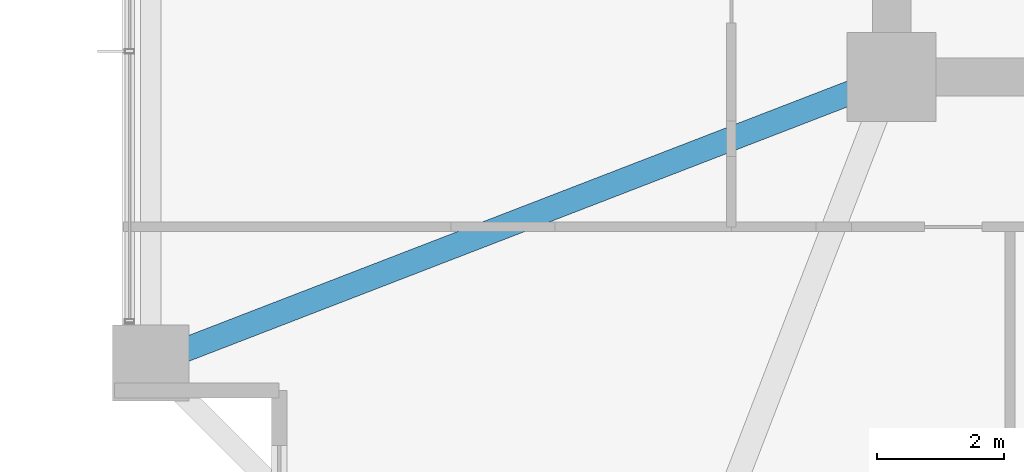
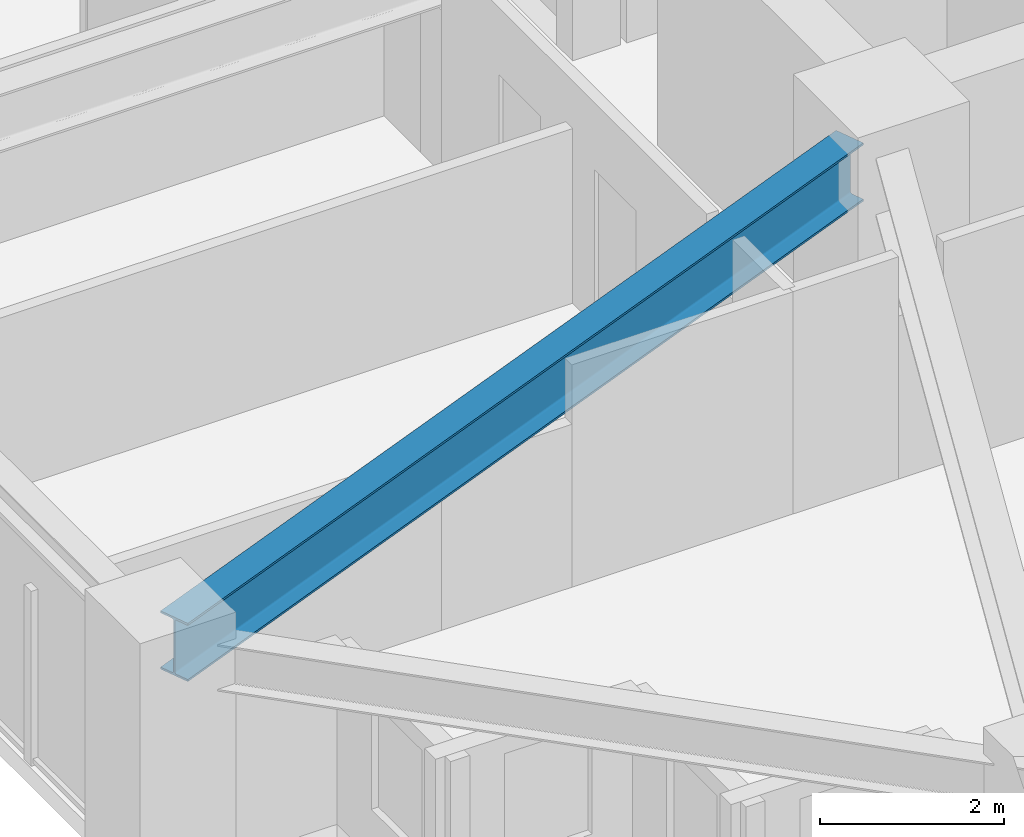
# One storey, part 4 of 38: 1 beam.
"""IFC4 building model written with IfcOpenShell, lengths in metres."""

from ifc_helpers import new_model, si_unit, direction, frame, origin, origin_2d, place, context, subcontext, project, spatial, i_section, extrude, material, material_profile, profile_set, type_object, element, save


model = new_model("IFC4")

# Units and contexts
model_context = context("Model", 3, precision=1e-05, world=origin(), true_north=direction((0.0, 1.0)))
body_context = subcontext(model_context, "Body", "Model", "MODEL_VIEW")
ifc_project = project(units=[si_unit("LENGTHUNIT", "METRE"), si_unit("AREAUNIT", "SQUARE_METRE"), si_unit("VOLUMEUNIT", "CUBIC_METRE"), si_unit("PLANEANGLEUNIT", "RADIAN"), si_unit("MASSUNIT", "GRAM", prefix="KILO")], contexts=[model_context])

# Site, building, storey
site_placement = place(None, origin())
site = spatial("IfcSite", under=ifc_project, at=site_placement, CompositionType="ELEMENT")
building_placement = place(site_placement, origin())
building = spatial("IfcBuilding", under=site, at=building_placement, Name="Kolvaren Belvedere", CompositionType="ELEMENT")
storey_placement = place(building_placement, frame((0.0, 0.0, 60.10009765625)))
storey = spatial("IfcBuildingStorey", under=building, at=storey_placement, Name="L17", CompositionType="ELEMENT", Elevation=60.10009765625)

# Beam
ifc_material = material(Name="Structural steel ASTM A992 Grade 50", Category="steel")
ifc_material_profile = material_profile(ifc_material, i_section(OverallWidth=0.381103515625, OverallDepth=0.77294921875, WebThickness=0.0166015625, FlangeThickness=0.027099609375, FilletRadius=0.02392578125, at=origin_2d()), Name="W30X173")
ifc_profile_set = profile_set([ifc_material_profile], Name="Structural steel ASTM A992 Grade 50")
beam_type = type_object("IfcBeamType", Name="BM-GIRD-W30X173", PredefinedType="BEAM", material=ifc_profile_set)
beam_placement = place(storey_placement, frame((-10.4130859375, -10.09814453125, 2.5634765625), z_axis=(-0.932829382313, -0.360318391835, 0.0), x_axis=(0.360318391835, -0.932829382313, 0.0)))
element("IfcBeam", 1, at=beam_placement, inside=storey, type_object=beam_type, Name="L17 Corner Core-to-Perimeter Girder CC1-W1", PredefinedType="BEAM", context=body_context, shape_type="SweptSolid", body=[
    extrude(i_section(OverallWidth=0.381103515625, OverallDepth=0.77294921875, WebThickness=0.0166015625, FlangeThickness=0.027099609375, FilletRadius=0.02392578125, at=origin_2d()), origin(), (0.0, 0.0, 1.0), 11.698974609375),
])

save(model, "model.ifc")
